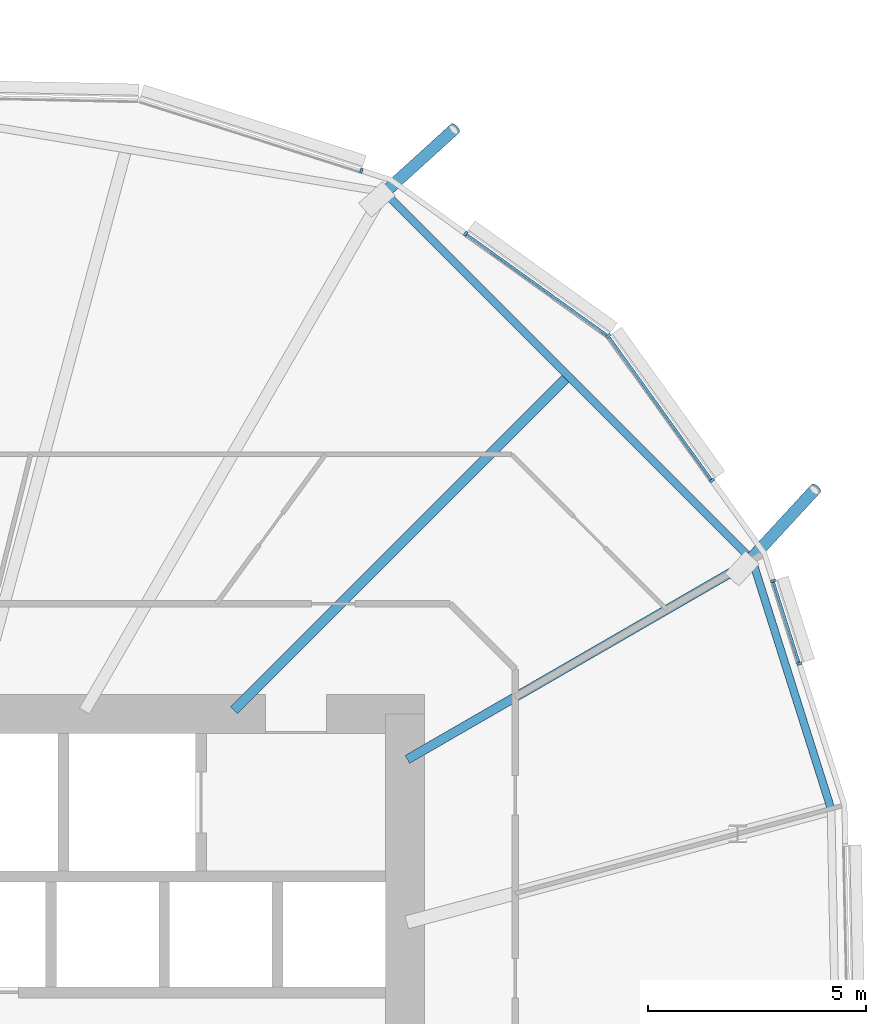
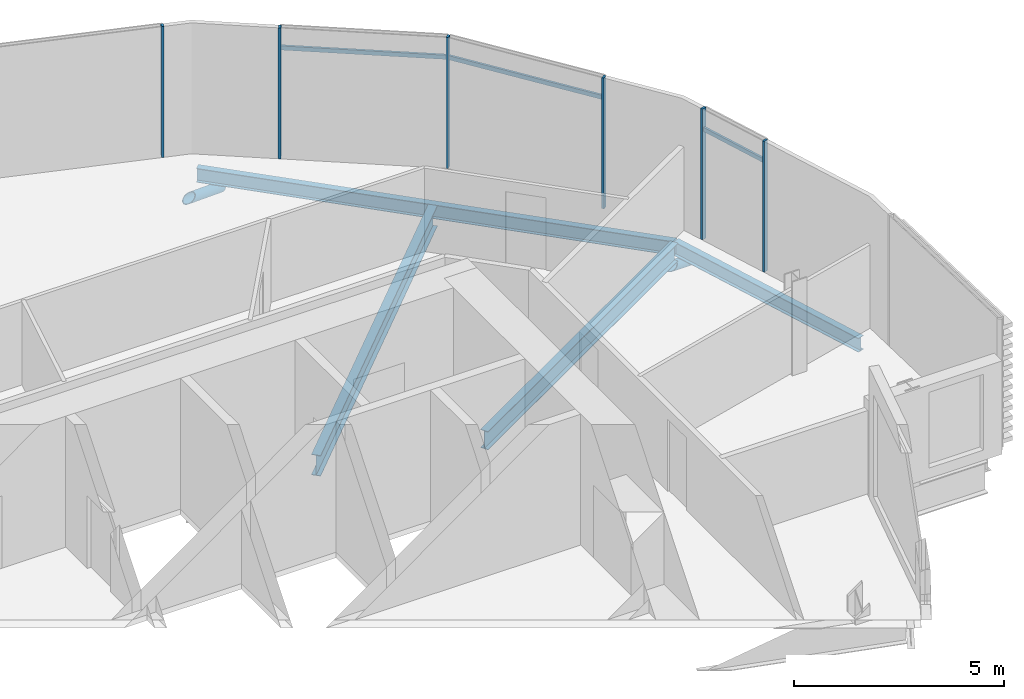
# One storey, part 18 of 38: 11 members, 4 beams, 1 element without a shape of its own.
"""IFC4 building model written with IfcOpenShell, lengths in metres."""

from ifc_helpers import new_model, si_unit, direction, frame, origin, origin_2d, place, context, subcontext, project, spatial, rectangle, hollow_circle, i_section, extrude, clip, halfspace, material, material_profile, profile_set, type_object, element, aggregate, save


model = new_model("IFC4")

# Units and contexts
model_context = context("Model", 3, precision=1e-05, world=origin(), true_north=direction((0.0, 1.0)))
body_context = subcontext(model_context, "Body", "Model", "MODEL_VIEW")
ifc_project = project(units=[si_unit("LENGTHUNIT", "METRE"), si_unit("AREAUNIT", "SQUARE_METRE"), si_unit("VOLUMEUNIT", "CUBIC_METRE"), si_unit("PLANEANGLEUNIT", "RADIAN"), si_unit("MASSUNIT", "GRAM", prefix="KILO")], contexts=[model_context])

# Site, building, storey
site_placement = place(None, origin())
site = spatial("IfcSite", under=ifc_project, at=site_placement, CompositionType="ELEMENT")
building_placement = place(site_placement, origin())
building = spatial("IfcBuilding", under=site, at=building_placement, Name="Rimbun Link Towers", CompositionType="ELEMENT")
storey_placement = place(building_placement, frame((0.0, 0.0, 68.0)))
storey = spatial("IfcBuildingStorey", under=building, at=storey_placement, Name="L16", CompositionType="ELEMENT", Elevation=68.0)

# Curtain wall, members
ifc_material_1 = material(Name="Aluminium 6063-T6 and low-iron glass", Category="aluminium")
curtain_wall_type = type_object("IfcCurtainWallType", Name="CW1 unitised vision wall", PredefinedType="NOTDEFINED", material=ifc_material_1)
curtain_wall_placement = place(storey_placement, origin())
curtain_wall = element("IfcCurtainWall", 1, at=curtain_wall_placement, inside=storey, type_object=curtain_wall_type, Name="CW1 L16 T2", PredefinedType="NOTDEFINED")
ifc_material_2 = material(Name="Aluminium 6063-T6", Category="aluminium")
ifc_material_profile_1 = material_profile(ifc_material_2, rectangle(XDim=0.1201171875, YDim=0.06005859375, at=origin_2d()), Name="MULLION 60X120")
ifc_profile_set_1 = profile_set([ifc_material_profile_1], Name="Aluminium 6063-T6")
member_type_1 = type_object("IfcMemberType", Name="CW1 mullion 60X120", PredefinedType="MULLION", material=ifc_profile_set_1)
member_1_placement = place(storey_placement, frame((45.139404296875, 19.0, 0.0), z_axis=(0.0, 0.0, 1.0), x_axis=(0.583001588402, 0.812471013588, 0.0)))
member_1 = element("IfcMember", 2, at=member_1_placement, type_object=member_type_1, Name="CW1 mullion", PredefinedType="MULLION", context=body_context, shape_type="SweptSolid", body=[
    extrude(rectangle(XDim=0.1201171875, YDim=0.06005859375, at=origin_2d()), origin(), (0.0, 0.0, 1.0), 3.800048828125),
])
member_2_placement = place(storey_placement, frame((48.405517578125, 16.655517578125, 0.0), z_axis=(0.0, 0.0, 1.0), x_axis=(0.707106781187, 0.707106781187, 0.0)))
member_2 = element("IfcMember", 3, at=member_2_placement, type_object=member_type_1, Name="CW1 mullion", PredefinedType="MULLION", context=body_context, shape_type="SweptSolid", body=[
    extrude(rectangle(XDim=0.1201171875, YDim=0.06005859375, at=origin_2d()), origin(), (0.0, 0.0, 1.0), 3.800048828125),
])
member_3_placement = place(storey_placement, frame((42.74951171875, 20.44482421875, 0.0), z_axis=(0.0, 0.0, 1.0), x_axis=(0.30306620433, 0.952969504125, 0.0)))
member_3 = element("IfcMember", 4, at=member_3_placement, type_object=member_type_1, Name="CW1 mullion", PredefinedType="MULLION", context=body_context, shape_type="SweptSolid", body=[
    extrude(rectangle(XDim=0.1201171875, YDim=0.06005859375, at=origin_2d()), origin(), (0.0, 0.0, 1.0), 3.800048828125),
])
member_4_placement = place(storey_placement, frame((52.1796875, 11.047119140625, 0.0), z_axis=(0.0, 0.0, 1.0), x_axis=(0.952969504125, 0.30306620433, 0.0)))
member_4 = element("IfcMember", 5, at=member_4_placement, type_object=member_type_1, Name="CW1 mullion", PredefinedType="MULLION", context=body_context, shape_type="SweptSolid", body=[
    extrude(rectangle(XDim=0.1201171875, YDim=0.06005859375, at=origin_2d()), origin(), (0.0, 0.0, 1.0), 3.800048828125),
])
member_5_placement = place(storey_placement, frame((52.781494140625, 9.154541015625, 0.0), z_axis=(0.0, 0.0, 1.0), x_axis=(0.952969504125, 0.30306620433, 0.0)))
member_5 = element("IfcMember", 6, at=member_5_placement, type_object=member_type_1, Name="CW1 mullion", PredefinedType="MULLION", context=body_context, shape_type="SweptSolid", body=[
    extrude(rectangle(XDim=0.1201171875, YDim=0.06005859375, at=origin_2d()), origin(), (0.0, 0.0, 1.0), 3.800048828125),
])
member_6_placement = place(storey_placement, frame((50.779052734375, 13.348876953125, 0.0), z_axis=(0.0, 0.0, 1.0), x_axis=(0.812471013588, 0.583001588402, 0.0)))
member_6 = element("IfcMember", 7, at=member_6_placement, type_object=member_type_1, Name="CW1 mullion", PredefinedType="MULLION", context=body_context, shape_type="SweptSolid", body=[
    extrude(rectangle(XDim=0.1201171875, YDim=0.06005859375, at=origin_2d()), origin(), (0.0, 0.0, 1.0), 3.800048828125),
])
ifc_material_3 = material(Name="Aluminium 6063-T6", Category="aluminium")
ifc_material_profile_2 = material_profile(ifc_material_3, rectangle(XDim=0.06005859375, YDim=0.1201171875, at=origin_2d()), Name="TRANSOM 60X120")
ifc_profile_set_2 = profile_set([ifc_material_profile_2], Name="Aluminium 6063-T6")
member_type_2 = type_object("IfcMemberType", Name="CW1 transom 60X120", PredefinedType="USERDEFINED", material=ifc_profile_set_2)
member_7_placement = place(storey_placement, frame((45.16259765625, 18.980712890625, 3.199951171875), z_axis=(0.812516616043, -0.582938031574, 0.0), x_axis=(0.582938031574, 0.812516616043, 0.0)))
member_7 = element("IfcMember", 8, at=member_7_placement, type_object=member_type_2, Name="CW1 transom", ObjectType="TRANSOM", PredefinedType="USERDEFINED", context=body_context, shape_type="SweptSolid", body=[
    extrude(rectangle(XDim=0.06005859375, YDim=0.1201171875, at=origin_2d()), origin(), (0.0, 0.0, 1.0), 3.95068359375),
])
member_8_placement = place(storey_placement, frame((52.186767578125, 11.017822265625, 3.199951171875), z_axis=(0.303078085865, -0.952965725443, 0.0), x_axis=(0.952965725443, 0.303078085865, 0.0)))
member_8 = element("IfcMember", 9, at=member_8_placement, type_object=member_type_2, Name="CW1 transom", ObjectType="TRANSOM", PredefinedType="USERDEFINED", context=body_context, shape_type="SweptSolid", body=[
    extrude(rectangle(XDim=0.06005859375, YDim=0.1201171875, at=origin_2d()), origin(), (0.0, 0.0, 1.0), 1.926025390625),
])
member_9_placement = place(storey_placement, frame((48.427734375, 16.62255859375, 3.199951171875), z_axis=(0.582974439598, -0.81249049396, 0.0), x_axis=(0.81249049396, 0.582974439598, 0.0)))
member_9 = element("IfcMember", 10, at=member_9_placement, type_object=member_type_2, Name="CW1 transom", ObjectType="TRANSOM", PredefinedType="USERDEFINED", context=body_context, shape_type="SweptSolid", body=[
    extrude(rectangle(XDim=0.06005859375, YDim=0.1201171875, at=origin_2d()), origin(), (0.0, 0.0, 1.0), 4.000732421875),
])
aggregate(curtain_wall, [member_1, member_2, member_3, member_4, member_5, member_6, member_7, member_8, member_9])

# Members
ifc_material_4 = material(Name="Steel S355J2H", Category="steel")
ifc_material_profile_3 = material_profile(ifc_material_4, hollow_circle(Radius=0.136474609375, WallThickness=0.012451171875, at=origin_2d()), Name="CHS 273x12.5")
ifc_profile_set_3 = profile_set([ifc_material_profile_3], Name="Steel S355J2H")
member_type_3 = type_object("IfcMemberType", Name="Floor edge link CHS 273x12.5", PredefinedType="BRACE", material=ifc_profile_set_3)
member_10_placement = place(storey_placement, frame((43.245361328125, 19.910400390625, -1.042236328125), z_axis=(0.653362111929, 0.593219588919, -0.470328045112), x_axis=(-0.672209852855, 0.740360664625, 0.0)))
element("IfcMember", 11, at=member_10_placement, inside=storey, type_object=member_type_3, Name="Floor edge link T2 L16 01", PredefinedType="BRACE", context=body_context, shape_type="Clipping", body=[
    clip(extrude(hollow_circle(Radius=0.136474609375, WallThickness=0.012451171875, at=origin_2d()), frame((0.0, 0.0, -0.533447265625)), (0.0, 0.0, 1.0), 3.0625), halfspace(frame((0.0, 0.0, -0.2509765625), z_axis=(0.0, 0.882491660007, -0.470328045112)), False)),
])
member_11_placement = place(storey_placement, frame((51.580810546875, 11.44921875, -0.81005859375), z_axis=(0.582089146339, 0.631925854486, -0.511704934651), x_axis=(-0.735514842839, 0.677508609512, 0.0)))
element("IfcMember", 12, at=member_11_placement, inside=storey, type_object=member_type_3, Name="Floor edge link T2 L16 23", PredefinedType="BRACE", context=body_context, shape_type="Clipping", body=[
    clip(extrude(hollow_circle(Radius=0.136474609375, WallThickness=0.012451171875, at=origin_2d()), frame((0.0, 0.0, -0.47802734375)), (0.0, 0.0, 1.0), 3.18701171875), halfspace(frame((0.0, 0.0, -0.224609375), z_axis=(0.0, 0.859161253697, -0.511704934651)), False)),
])

# Beams
ifc_material_5 = material(Name="Steel S355J2", Category="steel")
ifc_material_profile_4 = material_profile(ifc_material_5, i_section(OverallWidth=0.177978515625, OverallDepth=0.406494140625, WebThickness=0.0078125, FlangeThickness=0.0126953125, at=origin_2d()), Name="UB 406x178x60")
ifc_profile_set_4 = profile_set([ifc_material_profile_4], Name="Steel S355J2")
beam_type_1 = type_object("IfcBeamType", Name="UB 406x178x60", PredefinedType="BEAM", material=ifc_profile_set_4)
beam_1_placement = place(storey_placement, frame((53.501953125, 5.8427734375, -0.36328125), z_axis=(-0.30193580102, 0.953328260392, 0.0), x_axis=(-0.953328260392, -0.30193580102, 0.0)))
element("IfcBeam", 13, at=beam_1_placement, inside=storey, type_object=beam_type_1, Name="Edge beam T2 L16 22", PredefinedType="BEAM", context=body_context, shape_type="SweptSolid", body=[
    extrude(i_section(OverallWidth=0.177978515625, OverallDepth=0.406494140625, WebThickness=0.0078125, FlangeThickness=0.0126953125, at=origin_2d()), origin(), (0.0, 0.0, 1.0), 5.954345703125),
])
beam_2_placement = place(storey_placement, frame((51.703125, 11.52099609375, -0.36328125), z_axis=(-0.707106781187, 0.707106781187, 0.0), x_axis=(-0.707106781187, -0.707106781187, 0.0)))
element("IfcBeam", 14, at=beam_2_placement, inside=storey, type_object=beam_type_1, Name="Edge beam T2 L16 23-01", PredefinedType="BEAM", context=body_context, shape_type="SweptSolid", body=[
    extrude(i_section(OverallWidth=0.177978515625, OverallDepth=0.406494140625, WebThickness=0.0078125, FlangeThickness=0.0126953125, at=origin_2d()), origin(), (0.0, 0.0, 1.0), 11.78662109375),
])
ifc_material_6 = material(Name="Steel S355J2", Category="steel")
ifc_material_profile_5 = material_profile(ifc_material_6, i_section(OverallWidth=0.209228515625, OverallDepth=0.533203125, WebThickness=0.010009765625, FlangeThickness=0.015625, at=origin_2d()), Name="UB 533x210x92")
ifc_profile_set_5 = profile_set([ifc_material_profile_5], Name="Steel S355J2")
beam_type_2 = type_object("IfcBeamType", Name="UB 533x210x92", PredefinedType="BEAM", material=ifc_profile_set_5)
beam_3_placement = place(storey_placement, frame((43.80322265625, 6.958984375, -0.426513671875), z_axis=(0.866023513485, 0.500003274081, 0.0), x_axis=(-0.500003274081, 0.866023513485, 0.0)))
element("IfcBeam", 15, at=beam_3_placement, inside=storey, type_object=beam_type_2, Name="Radial beam T2 L16 23", PredefinedType="BEAM", context=body_context, shape_type="SweptSolid", body=[
    extrude(i_section(OverallWidth=0.209228515625, OverallDepth=0.533203125, WebThickness=0.010009765625, FlangeThickness=0.015625, at=origin_2d()), origin(), (0.0, 0.0, 1.0), 9.03076171875),
])
ifc_material_7 = material(Name="Steel S355J2", Category="steel")
ifc_material_profile_6 = material_profile(ifc_material_7, i_section(OverallWidth=0.2275390625, OverallDepth=0.6025390625, WebThickness=0.010498046875, FlangeThickness=0.014892578125, at=origin_2d()), Name="UB 610x229x101")
ifc_profile_set_6 = profile_set([ifc_material_profile_6], Name="Steel S355J2")
beam_type_3 = type_object("IfcBeamType", Name="UB 610x229x101", PredefinedType="BEAM", material=ifc_profile_set_6)
beam_4_placement = place(storey_placement, frame((39.831298828125, 8.081298828125, -0.461181640625), z_axis=(0.707106781187, 0.707106781187, 0.0), x_axis=(-0.707106781187, 0.707106781187, 0.0)))
element("IfcBeam", 16, at=beam_4_placement, inside=storey, type_object=beam_type_3, Name="Radial beam T2 L16 00", PredefinedType="BEAM", context=body_context, shape_type="SweptSolid", body=[
    extrude(i_section(OverallWidth=0.2275390625, OverallDepth=0.6025390625, WebThickness=0.010498046875, FlangeThickness=0.014892578125, at=origin_2d()), origin(), (0.0, 0.0, 1.0), 10.737060546875),
])

save(model, "model.ifc")
